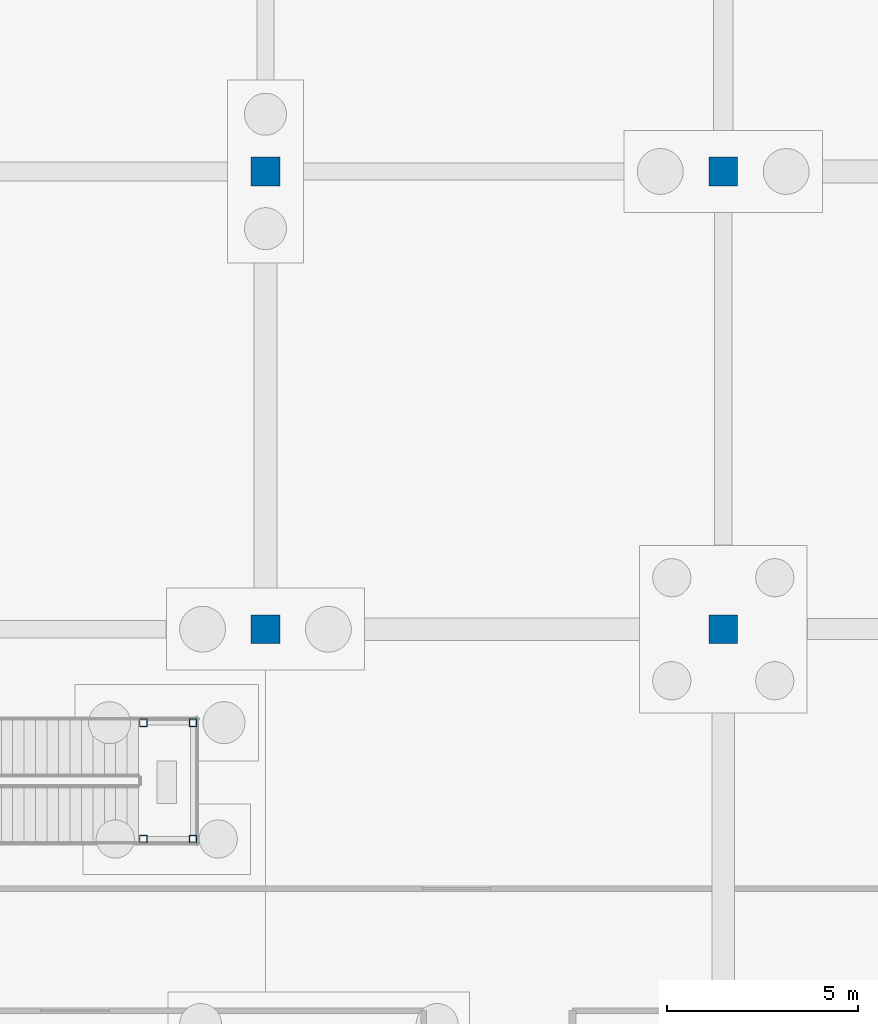
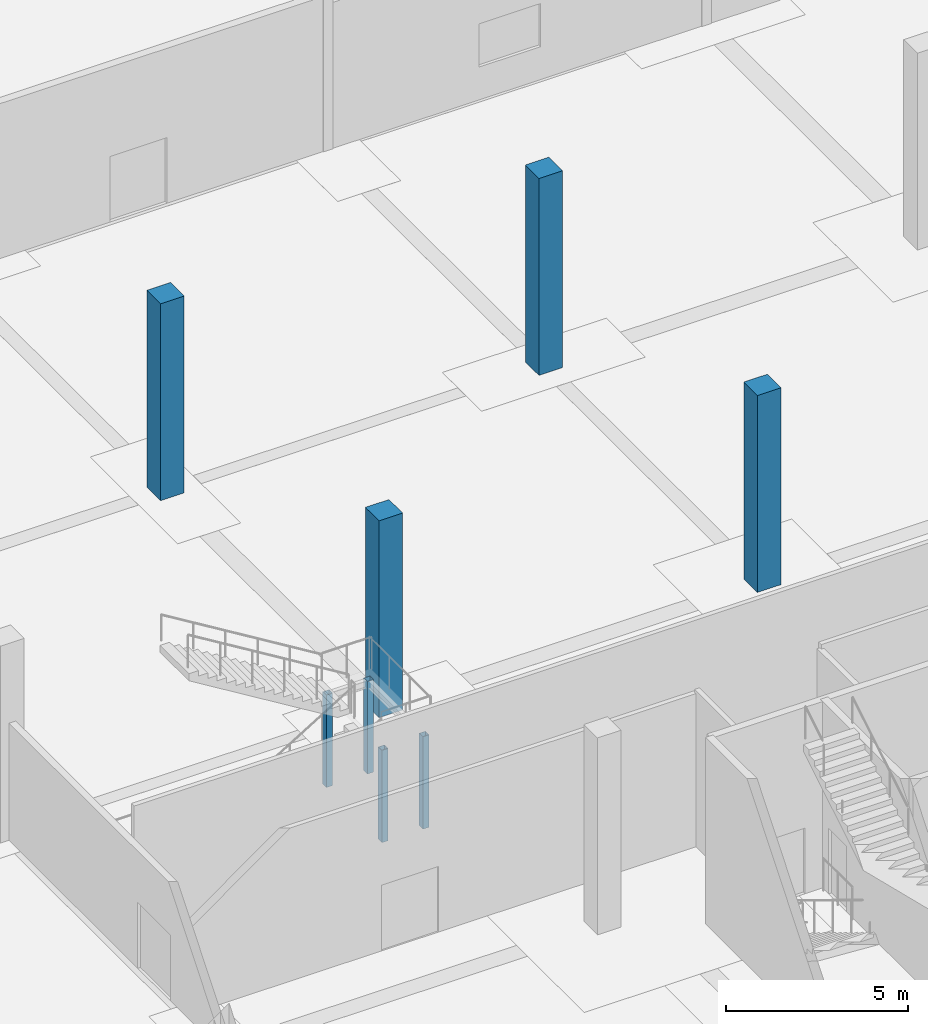
# One storey, part 16 of 117: 8 columns.
"""IFC4 building model written with IfcOpenShell, lengths in metres."""

from ifc_helpers import new_model, si_unit, direction, frame, origin, origin_2d, place, context, subcontext, project, spatial, rectangle, hollow_rectangle, extrude, material, material_profile, profile_set, type_object, element, save


model = new_model("IFC4")

# Units and contexts
model_context = context("Model", 3, precision=1e-05, world=origin(), true_north=direction((0.0, 1.0)))
body_context = subcontext(model_context, "Body", "Model", "MODEL_VIEW")
ifc_project = project(units=[si_unit("LENGTHUNIT", "METRE"), si_unit("AREAUNIT", "SQUARE_METRE"), si_unit("VOLUMEUNIT", "CUBIC_METRE"), si_unit("PLANEANGLEUNIT", "RADIAN"), si_unit("MASSUNIT", "GRAM", prefix="KILO")], contexts=[model_context])

# Site, building, storey
site_placement = place(None, origin())
site = spatial("IfcSite", under=ifc_project, at=site_placement, CompositionType="ELEMENT")
building_placement = place(site_placement, origin())
building = spatial("IfcBuilding", under=site, at=building_placement, Name="Kamomehara Wholesale Market", CompositionType="ELEMENT")
storey_placement = place(building_placement, origin())
storey = spatial("IfcBuildingStorey", under=building, at=storey_placement, Name="L00", CompositionType="ELEMENT", Elevation=0.0)

# Columns
ifc_material_1 = material(Name="Precast concrete Fc45 (C40/50)", Category="concrete")
ifc_material_profile_1 = material_profile(ifc_material_1, rectangle(XDim=0.75, YDim=0.75, at=origin_2d()), Name="PC-COL-750x750")
ifc_profile_set_1 = profile_set([ifc_material_profile_1], Name="Precast concrete Fc45 (C40/50)")
column_type_1 = type_object("IfcColumnType", Name="COL-PC750-EXT", PredefinedType="COLUMN", material=ifc_profile_set_1)
for number, where, z_axis, x_axis, name in (
    (1, (72.0, 48.0, 0.0), (0.0, 0.0, 1.0), (1.0, 0.0, 0.0), "Column C-04E L00"),
    (2, (72.0, 60.0, 0.0), (0.0, 0.0, 1.0), (1.0, 0.0, 0.0), "Column C-04E L00"),
    (3, (84.0, 48.0, 0.0), (0.0, 0.0, 1.0), (1.0, 0.0, 0.0), "Column C-04E L00"),
    (4, (84.0, 60.0, 0.0), (0.0, 0.0, 1.0), (1.0, 0.0, 0.0), "Column C-04E L00"),
):
    element("IfcColumn", number, at=place(storey_placement, frame(where, z_axis=z_axis, x_axis=x_axis)), inside=storey, type_object=column_type_1, Name=name, PredefinedType="COLUMN", context=body_context, shape_type="SweptSolid", body=[
        extrude(rectangle(XDim=0.75, YDim=0.75, at=origin_2d()), origin(), (0.0, 0.0, 1.0), 6.60009765625),
    ])
ifc_material_2 = material(Name="Steel SN490B", Category="steel")
ifc_material_profile_2 = material_profile(ifc_material_2, hollow_rectangle(XDim=0.199951171875, YDim=0.199951171875, WallThickness=0.009033203125, at=origin_2d()), Name="RHS-200x200x9")
ifc_profile_set_2 = profile_set([ifc_material_profile_2], Name="Steel SN490B")
column_type_2 = type_object("IfcColumnType", Name="COL-ST-RHS200", PredefinedType="COLUMN", material=ifc_profile_set_2)
for number, where, z_axis, x_axis, name in (
    (5, (68.800048828125, 42.5, 0.0), (0.0, 0.0, 1.0), (1.0, 0.0, 0.0), "Column CS-12 L00"),
    (6, (68.800048828125, 45.550048828125, 0.0), (0.0, 0.0, 1.0), (1.0, 0.0, 0.0), "Column CS-12 L00"),
    (7, (70.10009765625, 42.5, 0.0), (0.0, 0.0, 1.0), (1.0, 0.0, 0.0), "Column CS-12 L00"),
    (8, (70.10009765625, 45.550048828125, 0.0), (0.0, 0.0, 1.0), (1.0, 0.0, 0.0), "Column CS-12 L00"),
):
    element("IfcColumn", number, at=place(storey_placement, frame(where, z_axis=z_axis, x_axis=x_axis)), inside=storey, type_object=column_type_2, Name=name, PredefinedType="COLUMN", context=body_context, shape_type="SweptSolid", body=[
        extrude(hollow_rectangle(XDim=0.199951171875, YDim=0.199951171875, WallThickness=0.009033203125, at=origin_2d()), origin(), (0.0, 0.0, 1.0), 3.10009765625),
    ])

save(model, "model.ifc")
